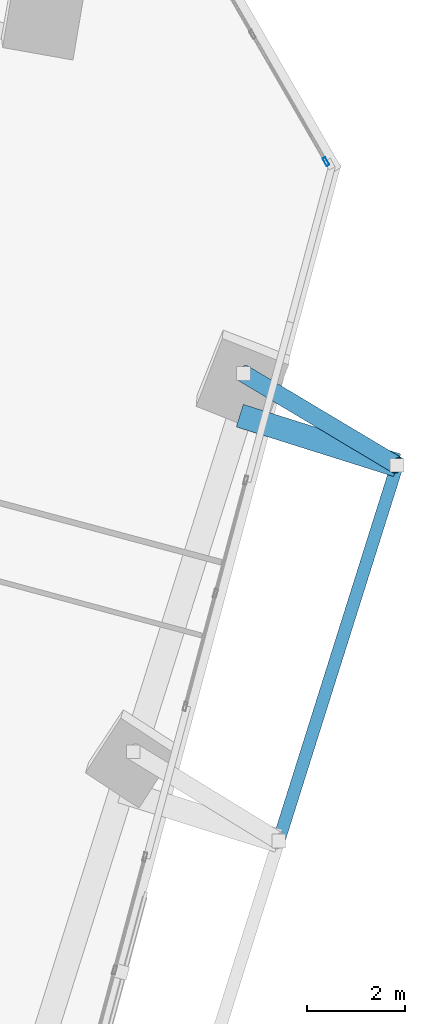
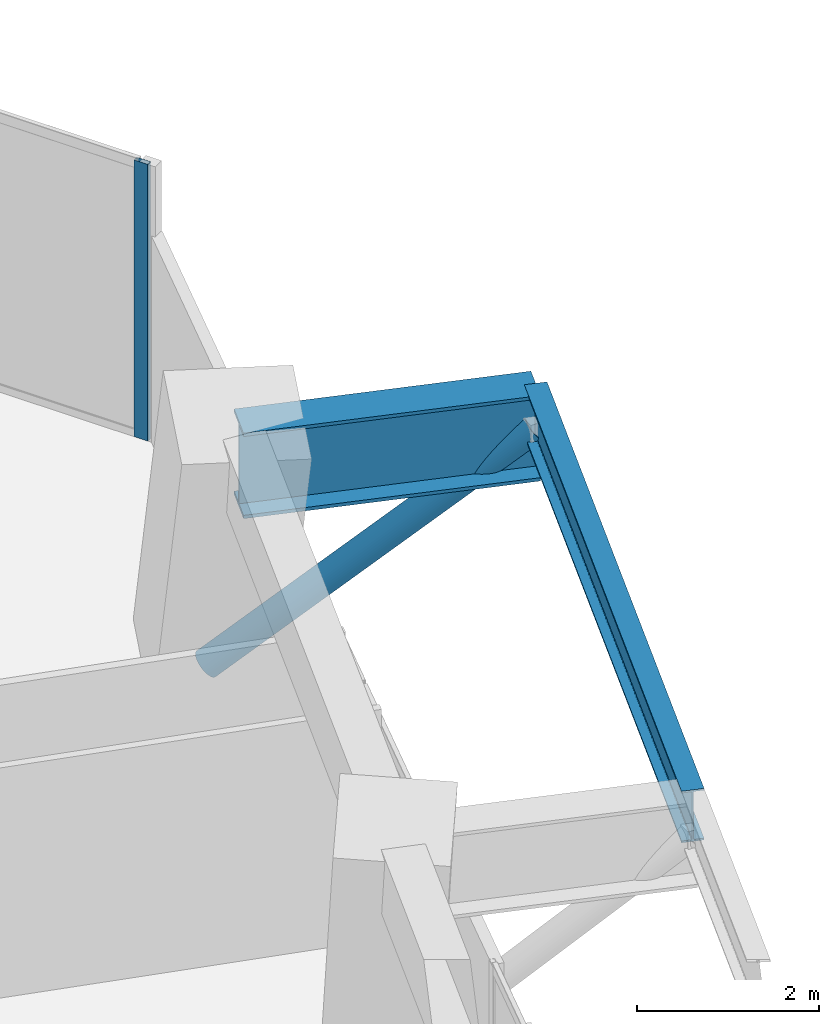
# One storey, part 19 of 27: 2 beams, 2 members, 1 element without a shape of its own.
"""IFC4 building model written with IfcOpenShell, lengths in metres."""

from ifc_helpers import new_model, si_unit, direction, frame, origin, origin_2d, place, context, subcontext, project, spatial, hollow_rectangle, hollow_circle, i_section, extrude, source, transform, mapped, material, material_profile, profile_set, type_object, element, aggregate, save


model = new_model("IFC4")

# Units and contexts
model_context = context("Model", 3, precision=1e-05, world=origin(), true_north=direction((0.0, 1.0)))
body_context = subcontext(model_context, "Body", "Model", "MODEL_VIEW")
ifc_project = project(units=[si_unit("LENGTHUNIT", "METRE"), si_unit("AREAUNIT", "SQUARE_METRE"), si_unit("VOLUMEUNIT", "CUBIC_METRE"), si_unit("PLANEANGLEUNIT", "RADIAN"), si_unit("MASSUNIT", "GRAM", prefix="KILO")], contexts=[model_context])

# Site, building, storey
site_placement = place(None, origin())
site = spatial("IfcSite", under=ifc_project, at=site_placement, CompositionType="ELEMENT")
building_placement = place(site_placement, origin())
building = spatial("IfcBuilding", under=site, at=building_placement, Name="Torre Montelarca", CompositionType="ELEMENT")
storey_placement = place(building_placement, frame((0.0, 0.0, 108.39990234375)))
storey = spatial("IfcBuildingStorey", under=building, at=storey_placement, Name="L24", CompositionType="ELEMENT", Elevation=108.39990234375)

# Member
ifc_material_1 = material(Name="Steel ASTM A500 Grade C", Category="steel")
ifc_material_profile_1 = material_profile(ifc_material_1, hollow_circle(Radius=0.177734375, WallThickness=0.015869140625, at=origin_2d()), Name="HSS355.6X15.9", Category="steel")
ifc_profile_set_1 = profile_set([ifc_material_profile_1], Name="Steel ASTM A500 Grade C")
member_type_1 = type_object("IfcMemberType", Name="MB-BR-CHS356-EXT", PredefinedType="BRACE", material=ifc_profile_set_1)
shared_shape_1 = source(origin(), body_context, "Body", "SweptSolid", [
    extrude(hollow_circle(Radius=0.177734375, WallThickness=0.015869140625, at=origin_2d()), origin(), (0.0, 0.0, 1.0), 4.86328125),
])
member_1_placement = place(storey_placement, frame((60.70068359375, 28.906982421875, 0.150146484375), z_axis=(0.641106042698, -0.382826300338, 0.665151911811), x_axis=(0.512685369723, 0.858576561334, 0.0)))
element("IfcMember", 1, at=member_1_placement, inside=storey, type_object=member_type_1, Name="L25 Sliding Tray Exterior Diagonal Raker Strut E3", PredefinedType="BRACE", context=body_context, shape_type="MappedRepresentation", body=[
    mapped(shared_shape_1, transform((0.0, 0.0, 0.0), scale=1.0)),
])

# Beams
ifc_material_2 = material(Name="Steel ASTM A572 Grade 50", Category="steel")
ifc_material_profile_2 = material_profile(ifc_material_2, i_section(OverallWidth=0.47998046875, OverallDepth=1.14990234375, WebThickness=0.02197265625, FlangeThickness=0.044921875, at=origin_2d()), Name="PG1150X480X22X45", Category="steel")
ifc_profile_set_2 = profile_set([ifc_material_profile_2], Name="Steel ASTM A572 Grade 50")
beam_type_1 = type_object("IfcBeamType", Name="BM-CG-PG1400-EXT", PredefinedType="USERDEFINED", material=ifc_profile_set_2)
shared_shape_2 = source(origin(), body_context, "Body", "SweptSolid", [
    extrude(i_section(OverallWidth=0.47998046875, OverallDepth=1.14990234375, WebThickness=0.02197265625, FlangeThickness=0.044921875, at=origin_2d()), origin(), (0.0, 0.0, 1.0), 3.349853515625),
])
beam_1_placement = place(storey_placement, frame((60.623779296875, 28.052490234375, 3.385009765625), z_axis=(0.95371694973, -0.300705802735, 0.0), x_axis=(0.300705802735, 0.95371694973, 0.0)))
element("IfcBeam", 2, at=beam_1_placement, inside=storey, type_object=beam_type_1, Name="L24 Sliding Tray Cantilever Girder East Y=40m (FLR)", ObjectType="CANTILEVER GIRDER", PredefinedType="USERDEFINED", context=body_context, shape_type="MappedRepresentation", body=[
    mapped(shared_shape_2, transform((0.0, 0.0, 0.0), scale=1.0)),
])
ifc_material_3 = material(Name="Steel ASTM A992 Grade 50", Category="steel")
ifc_material_profile_3 = material_profile(ifc_material_3, i_section(OverallWidth=0.256103515625, OverallDepth=0.693115234375, WebThickness=0.014404296875, FlangeThickness=0.023681640625, FilletRadius=0.01806640625, at=origin_2d()), Name="W690X170", Category="steel")
ifc_profile_set_3 = profile_set([ifc_material_profile_3], Name="Steel ASTM A992 Grade 50")
beam_type_2 = type_object("IfcBeamType", Name="BM-G-W690-EXT", PredefinedType="BEAM", material=ifc_profile_set_3)
shared_shape_3 = source(origin(), body_context, "Body", "SweptSolid", [
    extrude(i_section(OverallWidth=0.256103515625, OverallDepth=0.693115234375, WebThickness=0.014404296875, FlangeThickness=0.023681640625, FilletRadius=0.01806640625, at=origin_2d()), origin(), (0.0, 0.0, 1.0), 7.999755859375),
])
beam_2_placement = place(storey_placement, frame((61.4130859375, 19.41552734375, 3.614013671875), z_axis=(0.300694628035, 0.953720473027, 0.0), x_axis=(-0.953720473027, 0.300694628035, 0.0)))
element("IfcBeam", 3, at=beam_2_placement, inside=storey, type_object=beam_type_2, Name="L24 Sliding Tray Edge Girder East 32-40m (FLR)", PredefinedType="BEAM", context=body_context, shape_type="MappedRepresentation", body=[
    mapped(shared_shape_3, transform((0.0, 0.0, 0.0), scale=1.0)),
])

# Curtain wall, member
ifc_material_4 = material(Name="Insulated low-E laminated glass", Category="glass")
curtain_wall_type = type_object("IfcCurtainWallType", Name="CW-SYS-Z1", PredefinedType="USERDEFINED", material=ifc_material_4)
curtain_wall_placement = place(storey_placement, origin())
curtain_wall = element("IfcCurtainWall", 4, at=curtain_wall_placement, inside=storey, type_object=curtain_wall_type, Name="L24 Curtain Wall Run CW-T3-L24-E07-B1", ObjectType="UNITISED GLAZING", PredefinedType="USERDEFINED")
ifc_material_5 = material(Name="Anodised aluminium AA 6063-T6", Category="aluminium")
ifc_material_profile_4 = material_profile(ifc_material_5, hollow_rectangle(XDim=0.06494140625, YDim=0.179931640625, WallThickness=0.00390625, InnerFilletRadius=0.00390625, OuterFilletRadius=0.008056640625, at=origin_2d()), Name="ALU65X180X4", Category="aluminium")
ifc_profile_set_4 = profile_set([ifc_material_profile_4], Name="Anodised aluminium AA 6063-T6")
member_type_2 = type_object("IfcMemberType", Name="CWM-ALU180", PredefinedType="MULLION", material=ifc_profile_set_4)
shared_shape_4 = source(origin(), body_context, "Body", "SweptSolid", [
    extrude(hollow_rectangle(XDim=0.06494140625, YDim=0.179931640625, WallThickness=0.00390625, InnerFilletRadius=0.00390625, OuterFilletRadius=0.008056640625, at=origin_2d()), origin(), (0.0, 0.0, 1.0), 3.72021484375),
])
member_2_placement = place(storey_placement, frame((62.3740234375, 33.210693359375, 0.0), z_axis=(0.0, 0.0, 1.0), x_axis=(-0.866020776749, -0.500008014176, 0.0)))
member_2 = element("IfcMember", 5, at=member_2_placement, type_object=member_type_2, Name="CW mullion 1", PredefinedType="MULLION", context=body_context, shape_type="MappedRepresentation", body=[
    mapped(shared_shape_4, transform((0.0, 0.0, 0.0), scale=1.0)),
])
aggregate(curtain_wall, [member_2])

save(model, "model.ifc")
